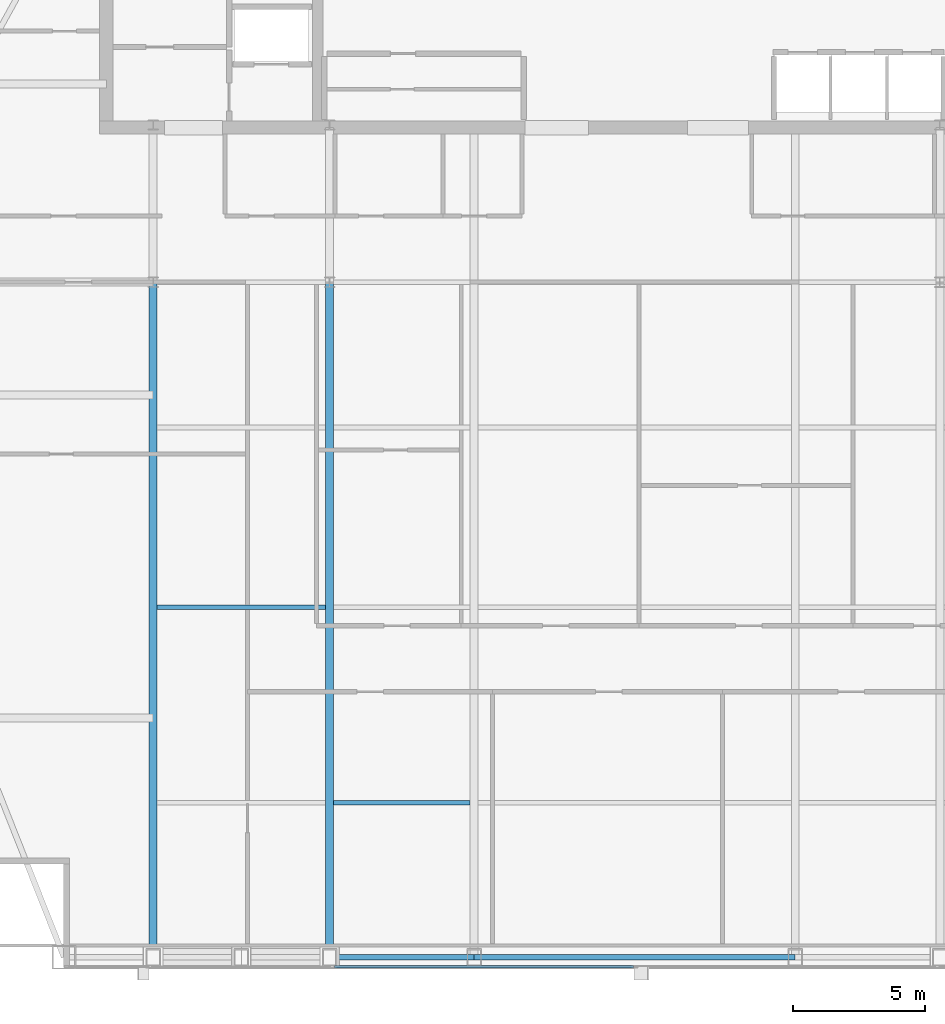
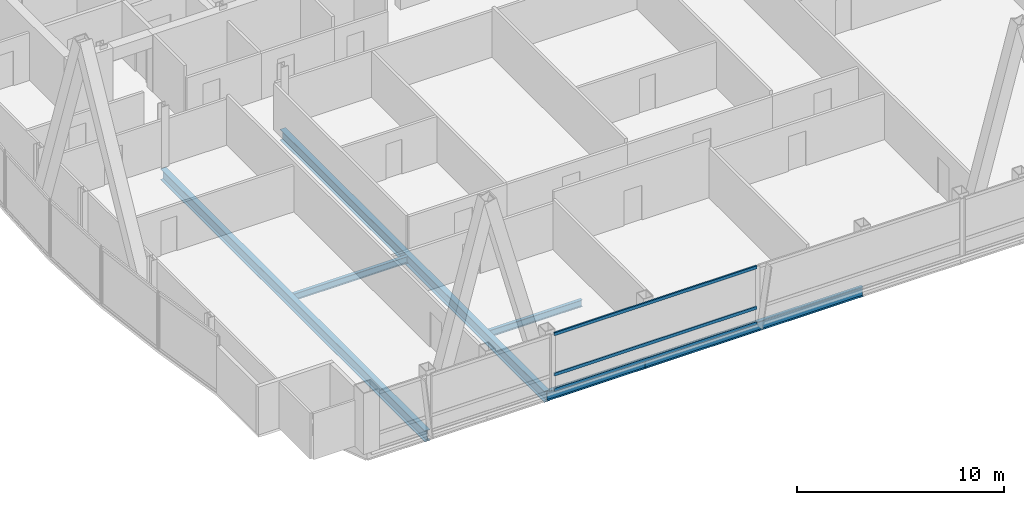
# One storey, part 6 of 29: 6 beams, 3 members, 1 element without a shape of its own.
"""IFC4 building model written with IfcOpenShell, lengths in metres."""

from ifc_helpers import new_model, si_unit, direction, frame, origin, origin_2d, place, context, subcontext, project, spatial, hollow_rectangle, i_section, extrude, material, material_profile, profile_set, type_object, element, aggregate, save


model = new_model("IFC4")

# Units and contexts
model_context = context("Model", 3, precision=1e-05, world=origin(), true_north=direction((0.0, 1.0)))
body_context = subcontext(model_context, "Body", "Model", "MODEL_VIEW")
ifc_project = project(units=[si_unit("LENGTHUNIT", "METRE"), si_unit("AREAUNIT", "SQUARE_METRE"), si_unit("VOLUMEUNIT", "CUBIC_METRE"), si_unit("PLANEANGLEUNIT", "RADIAN"), si_unit("MASSUNIT", "GRAM", prefix="KILO")], contexts=[model_context])

# Site, building, storey
site_placement = place(None, origin())
site = spatial("IfcSite", under=ifc_project, at=site_placement, CompositionType="ELEMENT")
building_placement = place(site_placement, origin())
building = spatial("IfcBuilding", under=site, at=building_placement, Name="Khoronbel Lancet Exchange", CompositionType="ELEMENT")
storey_placement = place(building_placement, frame((0.0, 0.0, 302.199951171875)))
storey = spatial("IfcBuildingStorey", under=building, at=storey_placement, Name="L78", CompositionType="ELEMENT", Elevation=302.199951171875)

# Beams
ifc_material_1 = material(Name="Steel S355", Category="steel")
ifc_material_profile_1 = material_profile(ifc_material_1, i_section(OverallWidth=0.300048828125, OverallDepth=0.64990234375, WebThickness=0.01611328125, FlangeThickness=0.031005859375, at=origin_2d()), Name="HEB 650")
ifc_profile_set_1 = profile_set([ifc_material_profile_1], Name="Steel S355")
beam_type_1 = type_object("IfcBeamType", Name="BM-BG4", PredefinedType="BEAM", material=ifc_profile_set_1)
for number, where, z_axis, x_axis, name in (
    (1, (18.22509765625, 10.14990234375, -0.48486328125), (0.0, 1.0, 0.0), (-1.0, 0.0, 0.0), "Level L78 south primary girder GS1"),
    (2, (24.89990234375, 10.14990234375, -0.48486328125), (0.0, 1.0, 0.0), (-1.0, 0.0, 0.0), "Level L78 south primary girder GS2"),
):
    element("IfcBeam", number, at=place(storey_placement, frame(where, z_axis=z_axis, x_axis=x_axis)), inside=storey, type_object=beam_type_1, Name=name, PredefinedType="BEAM", context=body_context, shape_type="SweptSolid", body=[
        extrude(i_section(OverallWidth=0.300048828125, OverallDepth=0.64990234375, WebThickness=0.01611328125, FlangeThickness=0.031005859375, at=origin_2d()), origin(), (0.0, 0.0, 1.0), 25.550048828125),
    ])
ifc_material_profile_2 = material_profile(ifc_material_1, i_section(OverallWidth=0.179931640625, OverallDepth=0.39990234375, WebThickness=0.008544921875, FlangeThickness=0.013427734375, at=origin_2d()), Name="IPE 400")
ifc_profile_set_2 = profile_set([ifc_material_profile_2], Name="Steel S355")
beam_type_2 = type_object("IfcBeamType", Name="BM-BJ5", PredefinedType="JOIST", material=ifc_profile_set_2)
beam_1_placement = place(storey_placement, frame((25.050048828125, 16.0, -0.35986328125), z_axis=(1.0, 0.0, 0.0), x_axis=(0.0, 1.0, 0.0)))
element("IfcBeam", 3, at=beam_1_placement, inside=storey, type_object=beam_type_2, Name="Level L78 secondary composite joist J02", PredefinedType="JOIST", context=body_context, shape_type="SweptSolid", body=[
    extrude(i_section(OverallWidth=0.179931640625, OverallDepth=0.39990234375, WebThickness=0.008544921875, FlangeThickness=0.013427734375, at=origin_2d()), origin(), (0.0, 0.0, 1.0), 5.175048828125),
])
beam_2_placement = place(storey_placement, frame((18.375, 23.39990234375, -0.35986328125), z_axis=(1.0, 0.0, 0.0), x_axis=(0.0, 1.0, 0.0)))
element("IfcBeam", 4, at=beam_2_placement, inside=storey, type_object=beam_type_2, Name="Level L78 secondary composite joist J06", PredefinedType="JOIST", context=body_context, shape_type="SweptSolid", body=[
    extrude(i_section(OverallWidth=0.179931640625, OverallDepth=0.39990234375, WebThickness=0.008544921875, FlangeThickness=0.013427734375, at=origin_2d()), origin(), (0.0, 0.0, 1.0), 6.375),
])
ifc_material_profile_3 = material_profile(ifc_material_1, i_section(OverallWidth=0.2099609375, OverallDepth=0.550048828125, WebThickness=0.010986328125, FlangeThickness=0.01708984375, at=origin_2d()), Name="IPE 550")
ifc_profile_set_3 = profile_set([ifc_material_profile_3], Name="Steel S355")
beam_type_3 = type_object("IfcBeamType", Name="BM-BSP3", PredefinedType="SPANDREL", material=ifc_profile_set_3)
beam_3_placement = place(storey_placement, frame((24.89990234375, 10.14990234375, -0.43505859375), z_axis=(1.0, 0.0, 0.0), x_axis=(0.0, 1.0, 0.0)))
element("IfcBeam", 5, at=beam_3_placement, inside=storey, type_object=beam_type_3, Name="Level L78 perimeter spandrel beam SP04", PredefinedType="SPANDREL", context=body_context, shape_type="SweptSolid", body=[
    extrude(i_section(OverallWidth=0.2099609375, OverallDepth=0.550048828125, WebThickness=0.010986328125, FlangeThickness=0.01708984375, at=origin_2d()), origin(), (0.0, 0.0, 1.0), 5.47509765625),
])
beam_4_placement = place(storey_placement, frame((30.375, 10.14990234375, -0.43505859375), z_axis=(1.0, 0.0, 0.0), x_axis=(0.0, 1.0, 0.0)))
element("IfcBeam", 6, at=beam_4_placement, inside=storey, type_object=beam_type_3, Name="Level L78 perimeter spandrel beam SP05", PredefinedType="SPANDREL", context=body_context, shape_type="SweptSolid", body=[
    extrude(i_section(OverallWidth=0.2099609375, OverallDepth=0.550048828125, WebThickness=0.010986328125, FlangeThickness=0.01708984375, at=origin_2d()), origin(), (0.0, 0.0, 1.0), 12.14990234375),
])

# Curtain wall, members
ifc_material_2 = material(Name="Low-E Solar Control Insulating Glass", Category="glass")
curtain_wall_type = type_object("IfcCurtainWallType", Name="CW-3", PredefinedType="NOTDEFINED", material=ifc_material_2)
curtain_wall_placement = place(storey_placement, origin())
curtain_wall = element("IfcCurtainWall", 7, at=curtain_wall_placement, inside=storey, type_object=curtain_wall_type, Name="Unitised curtain wall CW-L78-SCV", PredefinedType="NOTDEFINED")
ifc_material_3 = material(Name="Bronze-Anodised Aluminium 6063-T6", Category="aluminium")
ifc_material_profile_4 = material_profile(ifc_material_3, hollow_rectangle(XDim=0.0849609375, YDim=0.179931640625, WallThickness=0.0048828125, at=origin_2d()), Name="ALU TRANSOM 85x180")
ifc_profile_set_4 = profile_set([ifc_material_profile_4], Name="Bronze-Anodised Aluminium 6063-T6")
member_type = type_object("IfcMemberType", Name="MEM-CWT1", PredefinedType="USERDEFINED", material=ifc_profile_set_4)
member_1_placement = place(storey_placement, frame((25.0849609375, 9.7900390625, 0.04248046875), z_axis=(1.0, 0.0, 0.0), x_axis=(0.0, 1.0, 0.0)))
member_1 = element("IfcMember", 8, at=member_1_placement, type_object=member_type, Name="CW3 transom 1.1", ObjectType="TRANSOM", PredefinedType="USERDEFINED", context=body_context, shape_type="SweptSolid", body=[
    extrude(hollow_rectangle(XDim=0.0849609375, YDim=0.179931640625, WallThickness=0.0048828125, at=origin_2d()), origin(), (0.0, 0.0, 1.0), 11.322509765625),
])
member_2_placement = place(storey_placement, frame((25.0849609375, 9.7900390625, 0.949951171875), z_axis=(1.0, 0.0, 0.0), x_axis=(0.0, 1.0, 0.0)))
member_2 = element("IfcMember", 9, at=member_2_placement, type_object=member_type, Name="CW3 transom 1.2", ObjectType="TRANSOM", PredefinedType="USERDEFINED", context=body_context, shape_type="SweptSolid", body=[
    extrude(hollow_rectangle(XDim=0.0849609375, YDim=0.179931640625, WallThickness=0.0048828125, at=origin_2d()), origin(), (0.0, 0.0, 1.0), 11.322509765625),
])
member_3_placement = place(storey_placement, frame((25.0849609375, 9.7900390625, 3.337646484375), z_axis=(1.0, 0.0, 0.0), x_axis=(0.0, 1.0, 0.0)))
member_3 = element("IfcMember", 10, at=member_3_placement, type_object=member_type, Name="CW3 transom 1.3", ObjectType="TRANSOM", PredefinedType="USERDEFINED", context=body_context, shape_type="SweptSolid", body=[
    extrude(hollow_rectangle(XDim=0.0849609375, YDim=0.179931640625, WallThickness=0.0048828125, at=origin_2d()), origin(), (0.0, 0.0, 1.0), 11.322509765625),
])
aggregate(curtain_wall, [member_1, member_2, member_3])

save(model, "model.ifc")
